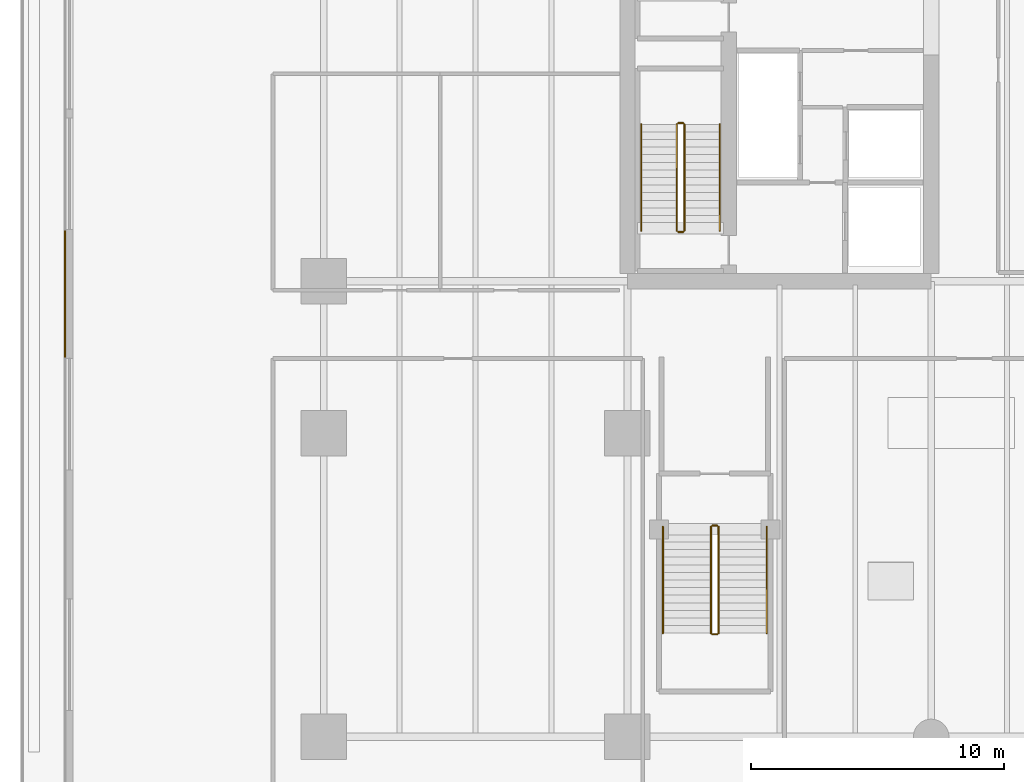
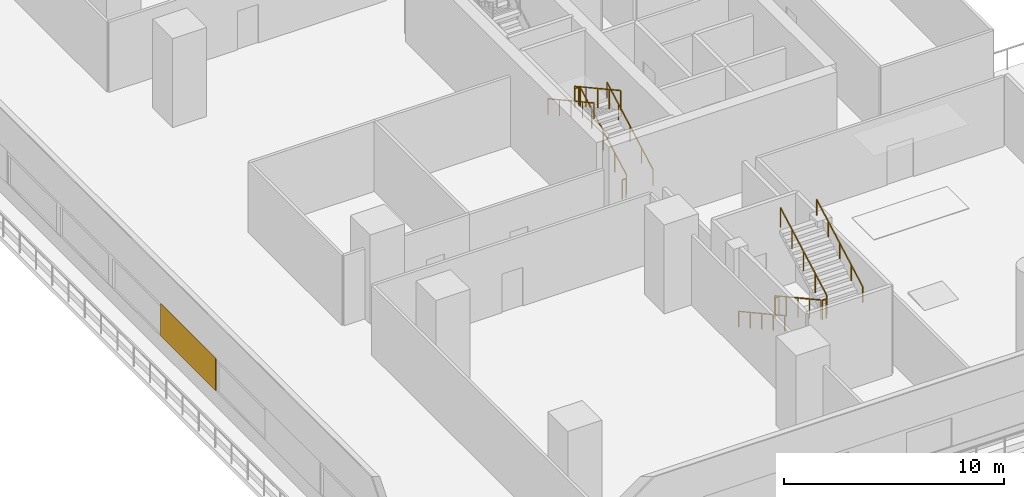
# One storey, part 16 of 24: 12 railings, 1 covering.
"""IFC4 building model written with IfcOpenShell, lengths in metres."""

from ifc_helpers import new_model, si_unit, direction, frame, origin, origin_2d, place, context, subcontext, project, spatial, rectangle, extrude, material, layer, layer_set, type_object, element, save


model = new_model("IFC4")

# Units and contexts
model_context = context("Model", 3, precision=1e-05, world=origin(), true_north=direction((0.0, 1.0)))
body_context = subcontext(model_context, "Body", "Model", "MODEL_VIEW")
ifc_project = project(units=[si_unit("LENGTHUNIT", "METRE"), si_unit("AREAUNIT", "SQUARE_METRE"), si_unit("VOLUMEUNIT", "CUBIC_METRE"), si_unit("PLANEANGLEUNIT", "RADIAN"), si_unit("MASSUNIT", "GRAM", prefix="KILO")], contexts=[model_context])

# Site, building, storey
site_placement = place(None, origin())
site = spatial("IfcSite", under=ifc_project, at=site_placement, CompositionType="ELEMENT")
building_placement = place(site_placement, origin())
building = spatial("IfcBuilding", under=site, at=building_placement, Name="Tanjung Sevakor Pilgrim Tower", CompositionType="ELEMENT")
storey_placement = place(building_placement, frame((0.0, 0.0, 4.949951171875)))
storey = spatial("IfcBuildingStorey", under=building, at=storey_placement, Name="L02", CompositionType="ELEMENT", Elevation=4.949951171875)

# Covering
ifc_material_1 = material(Name="Reconstructed Limestone Cladding", Category="masonry")
ifc_layer = layer(ifc_material_1, 0.044921875)
ifc_layer_set = layer_set([ifc_layer], Name="COV-CLAD-LIMESTONE")
covering_type = type_object("IfcCoveringType", Name="COV-CLAD-LIMESTONE", PredefinedType="CLADDING", material=ifc_layer_set)
covering_placement = place(storey_placement, frame((1.777587890625, 24.10009765625, 0.85009765625), z_axis=(0.0, 0.0, 1.0), x_axis=(0.0, -1.0, 0.0)))
element("IfcCovering", 1, at=covering_placement, inside=storey, type_object=covering_type, Name="L02 Warm Limestone Pier Panel EW-L02-MAIN-7-4", PredefinedType="CLADDING", context=body_context, shape_type="SweptSolid", body=[
    extrude(rectangle(XDim=5.0, YDim=0.044921875, at=origin_2d()), origin(), (0.0, 0.0, 1.0), 1.81005859375),
])

# Railings
ifc_material_2 = material(Name="Steel S355J2", Category="steel")
railing_type_1 = type_object("IfcRailingType", Name="RL-STAIR-GUARD", PredefinedType="GUARDRAIL", material=ifc_material_2)
railing_1_placement = place(storey_placement, frame((26.25, 26.60009765625, 0.1650390625)))
element("IfcRailing", 2, at=railing_1_placement, inside=storey, type_object=railing_type_1, Name="L02 TS-W1 stair guard 1", PredefinedType="GUARDRAIL", context=body_context, shape_type="SweptSolid", body=[
    extrude(rectangle(XDim=0.0479, YDim=0.0479), frame((0.0, 0.0, 1.076171875), z_axis=(0.0, 0.876208380975, 0.481932436249), x_axis=(-1.0, 0.0, 0.0)), (0.0, 0.0, 1.0), 4.793212890625),
    extrude(rectangle(XDim=0.042, YDim=0.042), origin(), (0.0, 0.0, 1.0), 1.052001953125),
    extrude(rectangle(XDim=0.042, YDim=0.042), frame((0.0, 1.050048828125, 0.57763671875)), (0.0, 0.0, 1.0), 1.052001953125),
    extrude(rectangle(XDim=0.042, YDim=0.042), frame((0.0, 2.10009765625, 1.155029296875)), (0.0, 0.0, 1.0), 1.052001953125),
    extrude(rectangle(XDim=0.042, YDim=0.042), frame((0.0, 3.14990234375, 1.732421875)), (0.0, 0.0, 1.0), 1.052001953125),
    extrude(rectangle(XDim=0.042, YDim=0.042), frame((0.0, 4.199951171875, 2.31005859375)), (0.0, 0.0, 1.0), 1.052001953125),
])
railing_2_placement = place(storey_placement, frame((26.199951171875, 30.85009765625, 2.47509765625)))
element("IfcRailing", 3, at=railing_2_placement, inside=storey, type_object=railing_type_1, Name="L02 TS-W1 stair guard 2", PredefinedType="GUARDRAIL", context=body_context, shape_type="SweptSolid", body=[
    extrude(rectangle(XDim=0.0479, YDim=0.0479), frame((0.0, 0.0, 1.076171875), z_axis=(-1.0, 0.0, 0.0), x_axis=(0.0, -1.0, 0.0)), (0.0, 0.0, 1.0), 0.199951171875),
    extrude(rectangle(XDim=0.042, YDim=0.042), origin(), (0.0, 0.0, 1.0), 1.052001953125),
    extrude(rectangle(XDim=0.042, YDim=0.042), frame((-0.199951171875, 0.0, 0.0)), (0.0, 0.0, 1.0), 1.052001953125),
])
railing_3_placement = place(storey_placement, frame((25.949951171875, 30.800048828125, 2.64013671875)))
element("IfcRailing", 4, at=railing_3_placement, inside=storey, type_object=railing_type_1, Name="L02 TS-W1 stair guard 3", PredefinedType="GUARDRAIL", context=body_context, shape_type="SweptSolid", body=[
    extrude(rectangle(XDim=0.0479, YDim=0.0479), frame((0.0, 0.0, 1.076171875), z_axis=(0.0, -0.876229888469, 0.481893331094), x_axis=(1.0, 0.0, 0.0)), (0.0, 0.0, 1.0), 4.793212890625),
    extrude(rectangle(XDim=0.042, YDim=0.042), origin(), (0.0, 0.0, 1.0), 1.052001953125),
    extrude(rectangle(XDim=0.042, YDim=0.042), frame((0.0, -1.050048828125, 0.577392578125)), (0.0, 0.0, 1.0), 1.052001953125),
    extrude(rectangle(XDim=0.042, YDim=0.042), frame((0.0, -2.10009765625, 1.15478515625)), (0.0, 0.0, 1.0), 1.052001953125),
    extrude(rectangle(XDim=0.042, YDim=0.042), frame((0.0, -3.14990234375, 1.732421875)), (0.0, 0.0, 1.0), 1.052001953125),
    extrude(rectangle(XDim=0.042, YDim=0.042), frame((0.0, -4.199951171875, 2.309814453125)), (0.0, 0.0, 1.0), 1.052001953125),
])
railing_4_placement = place(storey_placement, frame((26.199951171875, 26.550048828125, 0.0)))
element("IfcRailing", 5, at=railing_4_placement, inside=storey, type_object=railing_type_1, Name="L02 TS-W1 stair guard 4", PredefinedType="GUARDRAIL", context=body_context, shape_type="SweptSolid", body=[
    extrude(rectangle(XDim=0.0479, YDim=0.0479), frame((0.0, 0.0, 1.076171875), z_axis=(-1.0, 0.0, 0.0), x_axis=(0.0, -1.0, 0.0)), (0.0, 0.0, 1.0), 0.199951171875),
    extrude(rectangle(XDim=0.042, YDim=0.042), origin(), (0.0, 0.0, 1.0), 1.052001953125),
    extrude(rectangle(XDim=0.042, YDim=0.042), frame((-0.199951171875, 0.0, 0.0)), (0.0, 0.0, 1.0), 1.052001953125),
])
railing_5_placement = place(storey_placement, frame((27.300048828125, 14.89990234375, 0.1650390625)))
element("IfcRailing", 6, at=railing_5_placement, inside=storey, type_object=railing_type_1, Name="L02 PS-1 stair guard 1", PredefinedType="GUARDRAIL", context=body_context, shape_type="SweptSolid", body=[
    extrude(rectangle(XDim=0.0479, YDim=0.0479), frame((0.0, 0.0, 1.076171875), z_axis=(0.0, -0.876208380975, 0.481932436249), x_axis=(1.0, 0.0, 0.0)), (0.0, 0.0, 1.0), 4.793212890625),
    extrude(rectangle(XDim=0.042, YDim=0.042), origin(), (0.0, 0.0, 1.0), 1.052001953125),
    extrude(rectangle(XDim=0.042, YDim=0.042), frame((0.0, -1.050048828125, 0.57763671875)), (0.0, 0.0, 1.0), 1.052001953125),
    extrude(rectangle(XDim=0.042, YDim=0.042), frame((0.0, -2.10009765625, 1.155029296875)), (0.0, 0.0, 1.0), 1.052001953125),
    extrude(rectangle(XDim=0.042, YDim=0.042), frame((0.0, -3.14990234375, 1.732421875)), (0.0, 0.0, 1.0), 1.052001953125),
    extrude(rectangle(XDim=0.042, YDim=0.042), frame((0.0, -4.199951171875, 2.31005859375)), (0.0, 0.0, 1.0), 1.052001953125),
])
railing_6_placement = place(storey_placement, frame((27.35009765625, 10.64990234375, 2.47509765625)))
element("IfcRailing", 7, at=railing_6_placement, inside=storey, type_object=railing_type_1, Name="L02 PS-1 stair guard 2", PredefinedType="GUARDRAIL", context=body_context, shape_type="SweptSolid", body=[
    extrude(rectangle(XDim=0.0479, YDim=0.0479), frame((0.0, 0.0, 1.076171875), z_axis=(1.0, 0.0, 0.0), x_axis=(0.0, 1.0, 0.0)), (0.0, 0.0, 1.0), 0.199951171875),
    extrude(rectangle(XDim=0.042, YDim=0.042), origin(), (0.0, 0.0, 1.0), 1.052001953125),
    extrude(rectangle(XDim=0.042, YDim=0.042), frame((0.199951171875, 0.0, 0.0)), (0.0, 0.0, 1.0), 1.052001953125),
])
railing_7_placement = place(storey_placement, frame((27.60009765625, 10.699951171875, 2.64013671875)))
element("IfcRailing", 8, at=railing_7_placement, inside=storey, type_object=railing_type_1, Name="L02 PS-1 stair guard 3", PredefinedType="GUARDRAIL", context=body_context, shape_type="SweptSolid", body=[
    extrude(rectangle(XDim=0.0479, YDim=0.0479), frame((0.0, 0.0, 1.076171875), z_axis=(0.0, 0.876229888469, 0.481893331094), x_axis=(-1.0, 0.0, 0.0)), (0.0, 0.0, 1.0), 4.793212890625),
    extrude(rectangle(XDim=0.042, YDim=0.042), origin(), (0.0, 0.0, 1.0), 1.052001953125),
    extrude(rectangle(XDim=0.042, YDim=0.042), frame((0.0, 1.050048828125, 0.577392578125)), (0.0, 0.0, 1.0), 1.052001953125),
    extrude(rectangle(XDim=0.042, YDim=0.042), frame((0.0, 2.10009765625, 1.15478515625)), (0.0, 0.0, 1.0), 1.052001953125),
    extrude(rectangle(XDim=0.042, YDim=0.042), frame((0.0, 3.14990234375, 1.732421875)), (0.0, 0.0, 1.0), 1.052001953125),
    extrude(rectangle(XDim=0.042, YDim=0.042), frame((0.0, 4.199951171875, 2.309814453125)), (0.0, 0.0, 1.0), 1.052001953125),
])
railing_8_placement = place(storey_placement, frame((27.35009765625, 14.949951171875, 0.0)))
element("IfcRailing", 9, at=railing_8_placement, inside=storey, type_object=railing_type_1, Name="L02 PS-1 stair guard 4", PredefinedType="GUARDRAIL", context=body_context, shape_type="SweptSolid", body=[
    extrude(rectangle(XDim=0.0479, YDim=0.0479), frame((0.0, 0.0, 1.076171875), z_axis=(1.0, 0.0, 0.0), x_axis=(0.0, 1.0, 0.0)), (0.0, 0.0, 1.0), 0.199951171875),
    extrude(rectangle(XDim=0.042, YDim=0.042), origin(), (0.0, 0.0, 1.0), 1.052001953125),
    extrude(rectangle(XDim=0.042, YDim=0.042), frame((0.199951171875, 0.0, 0.0)), (0.0, 0.0, 1.0), 1.052001953125),
])
ifc_material_3 = material(Name="Steel S355J2", Category="steel")
railing_type_2 = type_object("IfcRailingType", Name="RL-STAIR-HAND", PredefinedType="HANDRAIL", material=ifc_material_3)
railing_9_placement = place(storey_placement, frame((27.64990234375, 26.60009765625, 0.1650390625)))
element("IfcRailing", 10, at=railing_9_placement, inside=storey, type_object=railing_type_2, Name="L02 TS-W1 stair handrail 1", PredefinedType="HANDRAIL", context=body_context, shape_type="SweptSolid", body=[
    extrude(rectangle(XDim=0.0479, YDim=0.0479), frame((0.0, 0.0, 0.8759765625), z_axis=(0.0, 0.876208380975, 0.481932436249), x_axis=(-1.0, 0.0, 0.0)), (0.0, 0.0, 1.0), 4.793212890625),
    extrude(rectangle(XDim=0.042, YDim=0.042), origin(), (0.0, 0.0, 1.0), 0.851806640625),
    extrude(rectangle(XDim=0.042, YDim=0.042), frame((0.0, 1.050048828125, 0.57763671875)), (0.0, 0.0, 1.0), 0.851806640625),
    extrude(rectangle(XDim=0.042, YDim=0.042), frame((0.0, 2.10009765625, 1.155029296875)), (0.0, 0.0, 1.0), 0.851806640625),
    extrude(rectangle(XDim=0.042, YDim=0.042), frame((0.0, 3.14990234375, 1.732421875)), (0.0, 0.0, 1.0), 0.851806640625),
    extrude(rectangle(XDim=0.042, YDim=0.042), frame((0.0, 4.199951171875, 2.31005859375)), (0.0, 0.0, 1.0), 0.851806640625),
])
railing_10_placement = place(storey_placement, frame((24.550048828125, 30.800048828125, 2.64013671875)))
element("IfcRailing", 11, at=railing_10_placement, inside=storey, type_object=railing_type_2, Name="L02 TS-W1 stair handrail 2", PredefinedType="HANDRAIL", context=body_context, shape_type="SweptSolid", body=[
    extrude(rectangle(XDim=0.0479, YDim=0.0479), frame((0.0, 0.0, 0.8759765625), z_axis=(0.0, -0.876229888469, 0.481893331094), x_axis=(1.0, 0.0, 0.0)), (0.0, 0.0, 1.0), 4.793212890625),
    extrude(rectangle(XDim=0.042, YDim=0.042), origin(), (0.0, 0.0, 1.0), 0.851806640625),
    extrude(rectangle(XDim=0.042, YDim=0.042), frame((0.0, -1.050048828125, 0.577392578125)), (0.0, 0.0, 1.0), 0.851806640625),
    extrude(rectangle(XDim=0.042, YDim=0.042), frame((0.0, -2.10009765625, 1.15478515625)), (0.0, 0.0, 1.0), 0.851806640625),
    extrude(rectangle(XDim=0.042, YDim=0.042), frame((0.0, -3.14990234375, 1.732421875)), (0.0, 0.0, 1.0), 0.851806640625),
    extrude(rectangle(XDim=0.042, YDim=0.042), frame((0.0, -4.199951171875, 2.309814453125)), (0.0, 0.0, 1.0), 0.851806640625),
])
railing_11_placement = place(storey_placement, frame((25.39990234375, 14.89990234375, 0.1650390625)))
element("IfcRailing", 12, at=railing_11_placement, inside=storey, type_object=railing_type_2, Name="L02 PS-1 stair handrail 1", PredefinedType="HANDRAIL", context=body_context, shape_type="SweptSolid", body=[
    extrude(rectangle(XDim=0.0479, YDim=0.0479), frame((0.0, 0.0, 0.8759765625), z_axis=(0.0, -0.876208380975, 0.481932436249), x_axis=(1.0, 0.0, 0.0)), (0.0, 0.0, 1.0), 4.793212890625),
    extrude(rectangle(XDim=0.042, YDim=0.042), origin(), (0.0, 0.0, 1.0), 0.851806640625),
    extrude(rectangle(XDim=0.042, YDim=0.042), frame((0.0, -1.050048828125, 0.57763671875)), (0.0, 0.0, 1.0), 0.851806640625),
    extrude(rectangle(XDim=0.042, YDim=0.042), frame((0.0, -2.10009765625, 1.155029296875)), (0.0, 0.0, 1.0), 0.851806640625),
    extrude(rectangle(XDim=0.042, YDim=0.042), frame((0.0, -3.14990234375, 1.732421875)), (0.0, 0.0, 1.0), 0.851806640625),
    extrude(rectangle(XDim=0.042, YDim=0.042), frame((0.0, -4.199951171875, 2.31005859375)), (0.0, 0.0, 1.0), 0.851806640625),
])
railing_12_placement = place(storey_placement, frame((29.5, 10.699951171875, 2.64013671875)))
element("IfcRailing", 13, at=railing_12_placement, inside=storey, type_object=railing_type_2, Name="L02 PS-1 stair handrail 2", PredefinedType="HANDRAIL", context=body_context, shape_type="SweptSolid", body=[
    extrude(rectangle(XDim=0.0479, YDim=0.0479), frame((0.0, 0.0, 0.8759765625), z_axis=(0.0, 0.876229888469, 0.481893331094), x_axis=(-1.0, 0.0, 0.0)), (0.0, 0.0, 1.0), 4.793212890625),
    extrude(rectangle(XDim=0.042, YDim=0.042), origin(), (0.0, 0.0, 1.0), 0.851806640625),
    extrude(rectangle(XDim=0.042, YDim=0.042), frame((0.0, 1.050048828125, 0.577392578125)), (0.0, 0.0, 1.0), 0.851806640625),
    extrude(rectangle(XDim=0.042, YDim=0.042), frame((0.0, 2.10009765625, 1.15478515625)), (0.0, 0.0, 1.0), 0.851806640625),
    extrude(rectangle(XDim=0.042, YDim=0.042), frame((0.0, 3.14990234375, 1.732421875)), (0.0, 0.0, 1.0), 0.851806640625),
    extrude(rectangle(XDim=0.042, YDim=0.042), frame((0.0, 4.199951171875, 2.309814453125)), (0.0, 0.0, 1.0), 0.851806640625),
])

save(model, "model.ifc")
